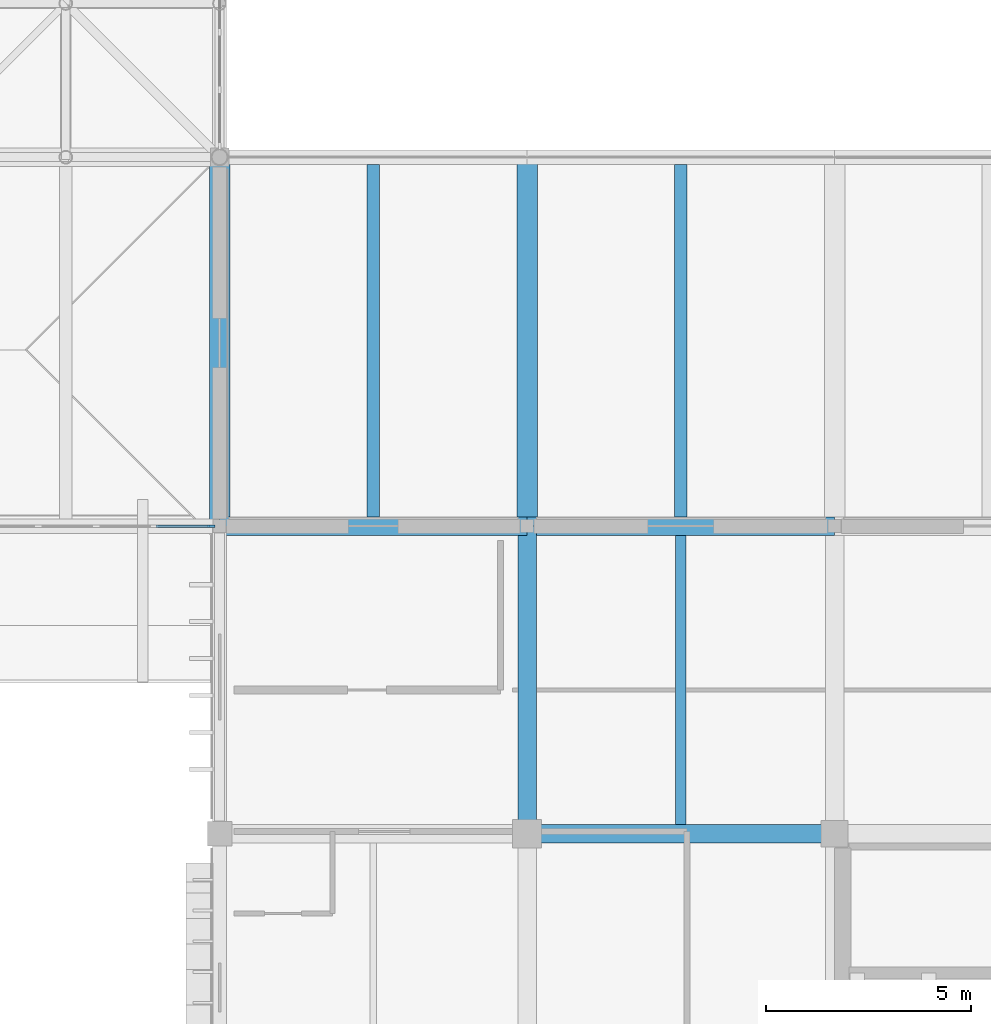
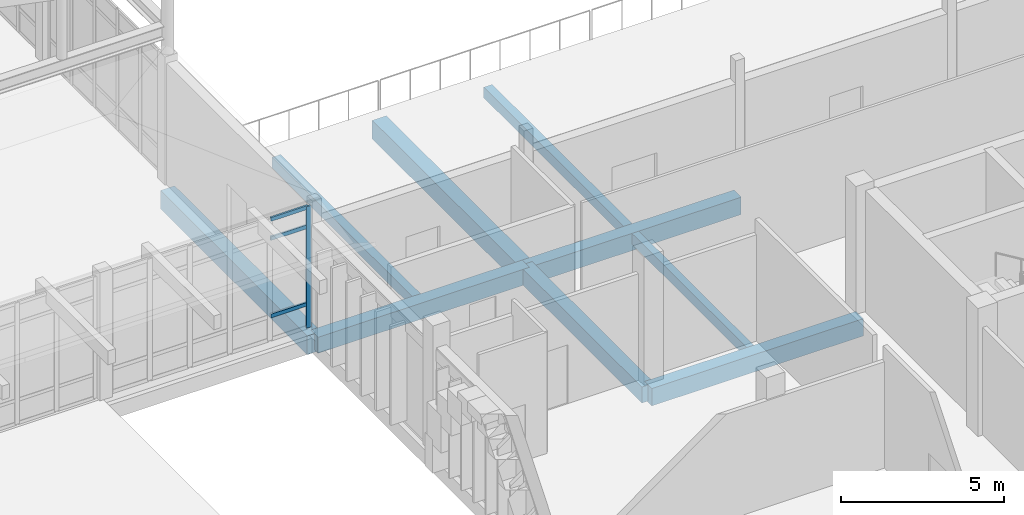
# One storey, part 30 of 131: 9 beams, 4 members, 1 element without a shape of its own.
"""IFC4 building model written with IfcOpenShell, lengths in metres."""

import ifcopenshell
import ifcopenshell.guid

model = None  # the IFC model being written
_history = None  # IfcOwnerHistory: only IFC2X3 demands one
_inside = {}  # id of a spatial element -> (the spatial element, [elements in it])
_under = {}  # id of a project, library or spatial element -> (it, [spatial elements below it])
_declared = {}  # id of a project -> (the project, [libraries it declares])
_typed = {}  # id of a type object -> (the type object, [elements of that type])
_made_of = {}  # id of a material, layer set ... -> (it, [elements and type objects made of it])


def new_model(schema):
    """Start an empty IFC model of exactly this schema.

    Asked for "IFC4X3", IfcOpenShell would pick the latest addendum, in which some entities
    have other attributes; the version numbers below select the first issue.
    IFC2X3 requires an IfcOwnerHistory on every rooted entity: one is made here for all.
    """
    global model, _history
    if schema == "IFC4X3":
        model = ifcopenshell.file(schema_version=(4, 3, 0, 0))
    else:
        model = ifcopenshell.file(schema=schema)
    _inside.clear()
    _under.clear()
    _declared.clear()
    _typed.clear()
    _made_of.clear()
    _history = None
    if model.schema == "IFC2X3":
        org = make("IfcOrganization", Name="unknown")
        user = make(
            "IfcPersonAndOrganization",
            ThePerson=make("IfcPerson", FamilyName="unknown"),
            TheOrganization=org,
        )
        app = make(
            "IfcApplication",
            ApplicationDeveloper=org,
            Version="unknown",
            ApplicationFullName="unknown",
            ApplicationIdentifier="unknown",
        )
        _history = make(
            "IfcOwnerHistory",
            OwningUser=user,
            OwningApplication=app,
            ChangeAction="ADDED",
            CreationDate=0,
        )
    return model


def make(cls, **values):
    """One entity of the class cls with the attributes given. An attribute that is None is left unset."""
    return model.create_entity(
        cls, **{name: value for name, value in values.items() if value is not None}
    )


def rooted(cls, **values):
    """An entity with a GlobalId (a new one), such as an element, a storey or a relation."""
    return make(cls, GlobalId=ifcopenshell.guid.new(), OwnerHistory=_history, **values)


def si_unit(unit_type, name, prefix=None):
    """IfcSIUnit, for example si_unit("LENGTHUNIT", "METRE", prefix="MILLI")."""
    return make("IfcSIUnit", UnitType=unit_type, Prefix=prefix, Name=name)


def assignment(units):
    """IfcUnitAssignment: the units of a project."""
    return None if units is None else make("IfcUnitAssignment", Units=units)


def point(xyz):
    """IfcCartesianPoint."""
    return None if xyz is None else make("IfcCartesianPoint", Coordinates=xyz)


def direction(xyz):
    """IfcDirection."""
    return None if xyz is None else make("IfcDirection", DirectionRatios=xyz)


def frame(location, z_axis=None, x_axis=None):
    """IfcAxis2Placement3D, a coordinate frame: its origin and axes. An axis left out is left unset."""
    return make(
        "IfcAxis2Placement3D",
        Location=point(location),
        Axis=direction(z_axis),
        RefDirection=direction(x_axis),
    )


def frame_2d(location, x_axis=None):
    """IfcAxis2Placement2D, a coordinate frame in the plane: its origin and x axis."""
    return make(
        "IfcAxis2Placement2D", Location=point(location), RefDirection=direction(x_axis)
    )


def origin():
    """The frame at (0, 0, 0) with its axes left unset."""
    return frame((0.0, 0.0, 0.0))


def origin_2d():
    """The frame at (0, 0) in the plane with its x axis left unset."""
    return frame_2d((0.0, 0.0))


def place(relative_to, where):
    """IfcLocalPlacement: puts the frame where relative to a parent placement (None: the world)."""
    return make(
        "IfcLocalPlacement", PlacementRelTo=relative_to, RelativePlacement=where
    )


def context(
    kind, dimensions, precision=None, world=None, true_north=None, identifier=None
):
    """IfcGeometricRepresentationContext, for example the 3D "Model" context."""
    return make(
        "IfcGeometricRepresentationContext",
        ContextIdentifier=identifier,
        ContextType=kind,
        CoordinateSpaceDimension=dimensions,
        Precision=precision,
        WorldCoordinateSystem=world,
        TrueNorth=true_north,
    )


def subcontext(parent, identifier, kind, view, scale=None):
    """IfcGeometricRepresentationSubContext, for example "Body" below "Model"."""
    return make(
        "IfcGeometricRepresentationSubContext",
        ContextIdentifier=identifier,
        ContextType=kind,
        ParentContext=parent,
        TargetScale=scale,
        TargetView=view,
    )


def project(units=None, contexts=None):
    """IfcProject with its units and contexts."""
    return rooted(
        "IfcProject",
        Name="project",
        RepresentationContexts=contexts,
        UnitsInContext=assignment(units),
    )


def spatial(cls, under=None, at=None, **own):
    """A site, building, storey or space (cls), placed at a placement, below another one or the project."""
    s = rooted(cls, ObjectPlacement=at, **own)
    if under is not None:
        _under.setdefault(under.id(), (under, []))[1].append(s)
    return s


def profile(cls, at=None, kind="AREA", **sizes):
    """A parametric profile (cls). Its sizes go by their IFC names, for example OverallWidth=200.0."""
    return make(cls, ProfileType=kind, Position=at, **sizes)


def rectangle(**sizes):
    """IfcRectangleProfileDef."""
    return profile("IfcRectangleProfileDef", **sizes)


def extrude(swept, where, along, depth):
    """IfcExtrudedAreaSolid: the profile swept, set in the frame where, extruded along a direction by depth."""
    return make(
        "IfcExtrudedAreaSolid",
        SweptArea=swept,
        Position=where,
        ExtrudedDirection=direction(along),
        Depth=depth,
    )


def shape(context_of_items, identifier, shape_type, items):
    """IfcShapeRepresentation: the items that make up one representation, for example the "Body"."""
    return make(
        "IfcShapeRepresentation",
        ContextOfItems=context_of_items,
        RepresentationIdentifier=identifier,
        RepresentationType=shape_type,
        Items=items,
    )


def material(Name=None, Category=None):
    """IfcMaterial."""
    return make("IfcMaterial", Name=Name, Category=Category)


def layer(
    of_material, thickness, ventilated=None, Name=None, Category=None, Priority=None
):
    """IfcMaterialLayer: one layer of a wall or slab, of a material (None: an air gap)."""
    return make(
        "IfcMaterialLayer",
        Material=of_material,
        LayerThickness=thickness,
        IsVentilated=ventilated,
        Name=Name,
        Category=Category,
        Priority=Priority,
    )


def layer_set(layers, Name=None):
    """IfcMaterialLayerSet."""
    return make("IfcMaterialLayerSet", MaterialLayers=layers, LayerSetName=Name)


def material_profile(
    of_material, cross_section, Name=None, Category=None, Priority=None
):
    """IfcMaterialProfile: a cross section and its material."""
    return make(
        "IfcMaterialProfile",
        Name=Name,
        Material=of_material,
        Profile=cross_section,
        Priority=Priority,
        Category=Category,
    )


def profile_set(profiles, Name=None, composite=None):
    """IfcMaterialProfileSet."""
    return make(
        "IfcMaterialProfileSet",
        Name=Name,
        MaterialProfiles=profiles,
        CompositeProfile=composite,
    )


def made_of(thing, what):
    """Note that an element or type object is made of a material, layer set ...; save() writes the relation."""
    if what is not None:
        _made_of.setdefault(what.id(), (what, []))[1].append(thing)
    return thing


def type_object(cls, material=None, **own):
    """A type object (cls), such as IfcWallType, which elements share."""
    return made_of(rooted(cls, **own), material)


def element(
    cls,
    number,
    at=None,
    inside=None,
    cuts=None,
    type_object=None,
    material=None,
    context=None,
    identifier="Body",
    shape_type=None,
    held_by="IfcProductDefinitionShape",
    body=None,
    shapes=None,
    **own,
):
    """One element of the class cls, such as IfcWall. Its Tag is "e" and its number.

    at: its placement. inside: the storey or other place that contains it. cuts: it is an
    opening in that element (IfcRelVoidsElement). A single representation is given by context,
    identifier, shape_type and body (its items); several are given by shapes. held_by: the class
    of the entity that holds the representations. save() writes the other relations.
    """
    e = rooted(cls, Tag="e%d" % number, ObjectPlacement=at, **own)
    if body is not None:
        shapes = [shape(context, identifier, shape_type, body)]
    if shapes is not None:
        e.Representation = make(held_by, Representations=shapes)
    if inside is not None:
        _inside.setdefault(inside.id(), (inside, []))[1].append(e)
    if cuts is not None:
        rooted(
            "IfcRelVoidsElement", RelatingBuildingElement=cuts, RelatedOpeningElement=e
        )
    if type_object is not None:
        _typed.setdefault(type_object.id(), (type_object, []))[1].append(e)
    return made_of(e, material)


def aggregate(whole, parts):
    """IfcRelAggregates: a whole, such as a stair, and the parts it consists of."""
    return rooted("IfcRelAggregates", RelatingObject=whole, RelatedObjects=parts)


def save(model, path):
    """Write the relations noted so far, then the file.

    IfcRelAggregates (storeys below a building ...), IfcRelContainedInSpatialStructure (elements
    in a storey), IfcRelDefinesByType, IfcRelAssociatesMaterial and IfcRelDeclares: one each for
    every whole, place, type object, material and project.
    """
    for whole, parts in _under.values():
        aggregate(whole, parts)
    for where, things in _inside.values():
        rooted(
            "IfcRelContainedInSpatialStructure",
            RelatedElements=things,
            RelatingStructure=where,
        )
    for kind, things in _typed.values():
        rooted("IfcRelDefinesByType", RelatedObjects=things, RelatingType=kind)
    for what, things in _made_of.values():
        rooted("IfcRelAssociatesMaterial", RelatedObjects=things, RelatingMaterial=what)
    for by, libraries in _declared.values():
        rooted("IfcRelDeclares", RelatingContext=by, RelatedDefinitions=libraries)
    model.write(path)


model = new_model("IFC4")

# Units and contexts
model_context = context("Model", 3, precision=1e-05, world=origin(), true_north=direction((0.0, 1.0)))
body_context = subcontext(model_context, "Body", "Model", "MODEL_VIEW")
ifc_project = project(units=[si_unit("LENGTHUNIT", "METRE"), si_unit("AREAUNIT", "SQUARE_METRE"), si_unit("VOLUMEUNIT", "CUBIC_METRE"), si_unit("PLANEANGLEUNIT", "RADIAN"), si_unit("MASSUNIT", "GRAM", prefix="KILO")], contexts=[model_context])

# Site, building, storey
site_placement = place(None, origin())
site = spatial("IfcSite", under=ifc_project, at=site_placement, CompositionType="ELEMENT")
building_placement = place(site_placement, origin())
building = spatial("IfcBuilding", under=site, at=building_placement, Name="Dalvernix Boulevard General Hospital", CompositionType="ELEMENT")
storey_placement = place(building_placement, frame((0.0, 0.0, 9.300048828125)))
storey = spatial("IfcBuildingStorey", under=building, at=storey_placement, Name="L02", CompositionType="ELEMENT", Elevation=9.300048828125)

# Beams
ifc_material_1 = material(Name="Concrete C35/45", Category="concrete")
ifc_material_profile_1 = material_profile(ifc_material_1, rectangle(XDim=0.5, YDim=0.699951171875, at=origin_2d()), Name="RCB 500x700")
ifc_profile_set_1 = profile_set([ifc_material_profile_1], Name="Concrete C35/45")
beam_type_1 = type_object("IfcBeamType", Name="BM-B-01-I", PredefinedType="BEAM", material=ifc_profile_set_1)
for number, where, z_axis, x_axis, name in (
    (1, (112.5, 22.5, -0.670166015625), (0.0, 1.0, 0.0), (-1.0, 0.0, 0.0), "L02 N-S girder 16:D-E"),
    (2, (120.0, 22.5, -0.670166015625), (0.0, 1.0, 0.0), (-1.0, 0.0, 0.0), "L02 N-S girder 17:D-E"),
):
    element("IfcBeam", number, at=place(storey_placement, frame(where, z_axis=z_axis, x_axis=x_axis)), inside=storey, type_object=beam_type_1, Name=name, PredefinedType="BEAM", context=body_context, shape_type="SweptSolid", body=[
        extrude(rectangle(XDim=0.5, YDim=0.699951171875, at=origin_2d()), origin(), (0.0, 0.0, 1.0), 9.0),
    ])
ifc_material_profile_2 = material_profile(ifc_material_1, rectangle(XDim=0.449951171875, YDim=0.64990234375, at=origin_2d()), Name="RCB 450x650")
ifc_profile_set_2 = profile_set([ifc_material_profile_2], Name="Concrete C35/45")
beam_type_2 = type_object("IfcBeamType", Name="BM-B-03-I", PredefinedType="BEAM", material=ifc_profile_set_2)
for number, where, z_axis, x_axis, name in (
    (3, (120.0, 15.0, -0.64501953125), (1.0, 0.0, 0.0), (0.0, 1.0, 0.0), "L02 E-W girder C:17-18"),
    (4, (120.0, 22.5, -0.64501953125), (1.0, 0.0, 0.0), (0.0, 1.0, 0.0), "L02 E-W girder D:17-18"),
):
    element("IfcBeam", number, at=place(storey_placement, frame(where, z_axis=z_axis, x_axis=x_axis)), inside=storey, type_object=beam_type_2, Name=name, PredefinedType="BEAM", context=body_context, shape_type="SweptSolid", body=[
        extrude(rectangle(XDim=0.449951171875, YDim=0.64990234375, at=origin_2d()), origin(), (0.0, 0.0, 1.0), 7.5),
    ])
ifc_material_profile_3 = material_profile(ifc_material_1, rectangle(XDim=0.449951171875, YDim=0.60009765625, at=origin_2d()), Name="RCB 450x600")
ifc_profile_set_3 = profile_set([ifc_material_profile_3], Name="Concrete C35/45")
beam_type_3 = type_object("IfcBeamType", Name="BM-B-04-I", PredefinedType="BEAM", material=ifc_profile_set_3)
for number, where, z_axis, x_axis, name in (
    (5, (112.5, 22.5, -0.6201171875), (1.0, 0.0, 0.0), (0.0, 1.0, 0.0), "L02 E-W girder D:16-17"),
    (6, (120.0, 15.0, -0.6201171875), (0.0, 1.0, 0.0), (-1.0, 0.0, 0.0), "L02 N-S girder 17:C-D"),
):
    element("IfcBeam", number, at=place(storey_placement, frame(where, z_axis=z_axis, x_axis=x_axis)), inside=storey, type_object=beam_type_3, Name=name, PredefinedType="BEAM", context=body_context, shape_type="SweptSolid", body=[
        extrude(rectangle(XDim=0.449951171875, YDim=0.60009765625, at=origin_2d()), origin(), (0.0, 0.0, 1.0), 7.5),
    ])
ifc_material_profile_4 = material_profile(ifc_material_1, rectangle(XDim=0.300048828125, YDim=0.39990234375, at=origin_2d()), Name="RCB 300x400")
ifc_profile_set_4 = profile_set([ifc_material_profile_4], Name="Concrete C35/45")
beam_type_4 = type_object("IfcBeamType", Name="BM-JB-01", PredefinedType="JOIST", material=ifc_profile_set_4)
for number, where, z_axis, x_axis, name in (
    (7, (116.25, 22.72509765625, -0.52001953125), (0.0, 1.0, 0.0), (-1.0, 0.0, 0.0), "L02 secondary floor beam 16-D"),
    (8, (123.75, 22.72509765625, -0.52001953125), (0.0, 1.0, 0.0), (-1.0, 0.0, 0.0), "L02 secondary floor beam 17-D"),
):
    element("IfcBeam", number, at=place(storey_placement, frame(where, z_axis=z_axis, x_axis=x_axis)), inside=storey, type_object=beam_type_4, Name=name, PredefinedType="JOIST", context=body_context, shape_type="SweptSolid", body=[
        extrude(rectangle(XDim=0.300048828125, YDim=0.39990234375, at=origin_2d()), origin(), (0.0, 0.0, 1.0), 8.599853515625),
    ])
ifc_material_profile_5 = material_profile(ifc_material_1, rectangle(XDim=0.25, YDim=0.39990234375, at=origin_2d()), Name="RCB 250x400")
ifc_profile_set_5 = profile_set([ifc_material_profile_5], Name="Concrete C35/45")
beam_type_5 = type_object("IfcBeamType", Name="BM-JB-02", PredefinedType="JOIST", material=ifc_profile_set_5)
beam_placement = place(storey_placement, frame((123.75, 15.22509765625, -0.52001953125), z_axis=(0.0, 1.0, 0.0), x_axis=(-1.0, 0.0, 0.0)))
element("IfcBeam", 9, at=beam_placement, inside=storey, type_object=beam_type_5, Name="L02 secondary floor beam 17-C", PredefinedType="JOIST", context=body_context, shape_type="SweptSolid", body=[
    extrude(rectangle(XDim=0.25, YDim=0.39990234375, at=origin_2d()), origin(), (0.0, 0.0, 1.0), 7.0498046875),
])

# Curtain wall, members
ifc_material_2 = material(Name="Thermally broken aluminium and solar-control glass curtain wall", Category="aluminium")
ifc_layer = layer(ifc_material_2, 0.179931640625)
ifc_layer_set = layer_set([ifc_layer], Name="Thermally broken aluminium and solar-control glass curtain wall (CW-CW-B-71x46)")
curtain_wall_type = type_object("IfcCurtainWallType", Name="CW-CW-B-71x46", PredefinedType="USERDEFINED", material=ifc_layer_set)
curtain_wall_placement = place(storey_placement, origin())
curtain_wall = element("IfcCurtainWall", 10, at=curtain_wall_placement, inside=storey, type_object=curtain_wall_type, Name="L02 curtain wall CW-B-71x46 14-3", ObjectType="GLAZED FACADE", PredefinedType="USERDEFINED")
ifc_material_3 = material(Name="Aluminium EN AW-6060", Category="aluminium")
ifc_material_profile_6 = material_profile(ifc_material_3, rectangle(XDim=0.06494140625, YDim=0.179931640625, at=origin_2d()), Name="ALU MULL 65x180")
ifc_profile_set_6 = profile_set([ifc_material_profile_6], Name="Aluminium EN AW-6060")
member_type_1 = type_object("IfcMemberType", Name="MEM-CW-M2", PredefinedType="MULLION", material=ifc_profile_set_6)
member_1_placement = place(storey_placement, frame((112.297607421875, 22.5, 0.0), z_axis=(0.0, 0.0, 1.0), x_axis=(0.0, -1.0, 0.0)))
member_1 = element("IfcMember", 11, at=member_1_placement, type_object=member_type_1, Name="CW-B-71x46 mullion 1", PredefinedType="MULLION", context=body_context, shape_type="SweptSolid", body=[
    extrude(rectangle(XDim=0.06494140625, YDim=0.179931640625, at=origin_2d()), origin(), (0.0, 0.0, 1.0), 4.550048828125),
])
ifc_material_profile_7 = material_profile(ifc_material_3, rectangle(XDim=0.06494140625, YDim=0.139892578125, at=origin_2d()), Name="ALU TRAN 65x140")
ifc_profile_set_7 = profile_set([ifc_material_profile_7], Name="Aluminium EN AW-6060")
member_type_2 = type_object("IfcMemberType", Name="MEM-CW-T2", PredefinedType="USERDEFINED", material=ifc_profile_set_7)
member_2_placement = place(storey_placement, frame((112.264892578125, 22.5, 0.89990234375), z_axis=(-1.0, 0.0, 0.0), x_axis=(0.0, -1.0, 0.0)))
member_2 = element("IfcMember", 12, at=member_2_placement, type_object=member_type_2, Name="CW-B-71x46 transom 1.2", ObjectType="TRANSOM", PredefinedType="USERDEFINED", context=body_context, shape_type="SweptSolid", body=[
    extrude(rectangle(XDim=0.06494140625, YDim=0.139892578125, at=origin_2d()), origin(), (0.0, 0.0, 1.0), 1.3212890625),
])
member_3_placement = place(storey_placement, frame((112.264892578125, 22.5, 3.800048828125), z_axis=(-1.0, 0.0, 0.0), x_axis=(0.0, -1.0, 0.0)))
member_3 = element("IfcMember", 13, at=member_3_placement, type_object=member_type_2, Name="CW-B-71x46 transom 1.3", ObjectType="TRANSOM", PredefinedType="USERDEFINED", context=body_context, shape_type="SweptSolid", body=[
    extrude(rectangle(XDim=0.06494140625, YDim=0.139892578125, at=origin_2d()), origin(), (0.0, 0.0, 1.0), 1.3212890625),
])
member_4_placement = place(storey_placement, frame((112.264892578125, 22.5, 4.517333984375), z_axis=(-1.0, 0.0, 0.0), x_axis=(0.0, -1.0, 0.0)))
member_4 = element("IfcMember", 14, at=member_4_placement, type_object=member_type_2, Name="CW-B-71x46 transom 1.4", ObjectType="TRANSOM", PredefinedType="USERDEFINED", context=body_context, shape_type="SweptSolid", body=[
    extrude(rectangle(XDim=0.06494140625, YDim=0.139892578125, at=origin_2d()), origin(), (0.0, 0.0, 1.0), 1.3212890625),
])
aggregate(curtain_wall, [member_1, member_2, member_3, member_4])

save(model, "model.ifc")
